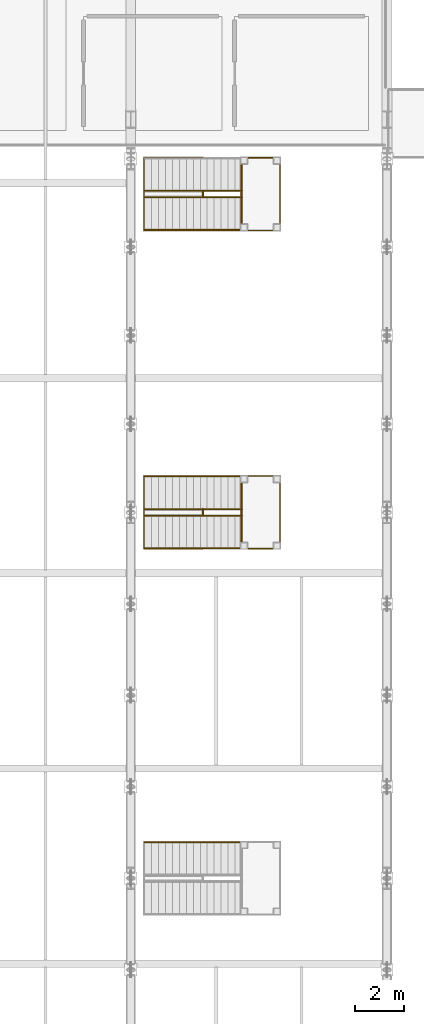
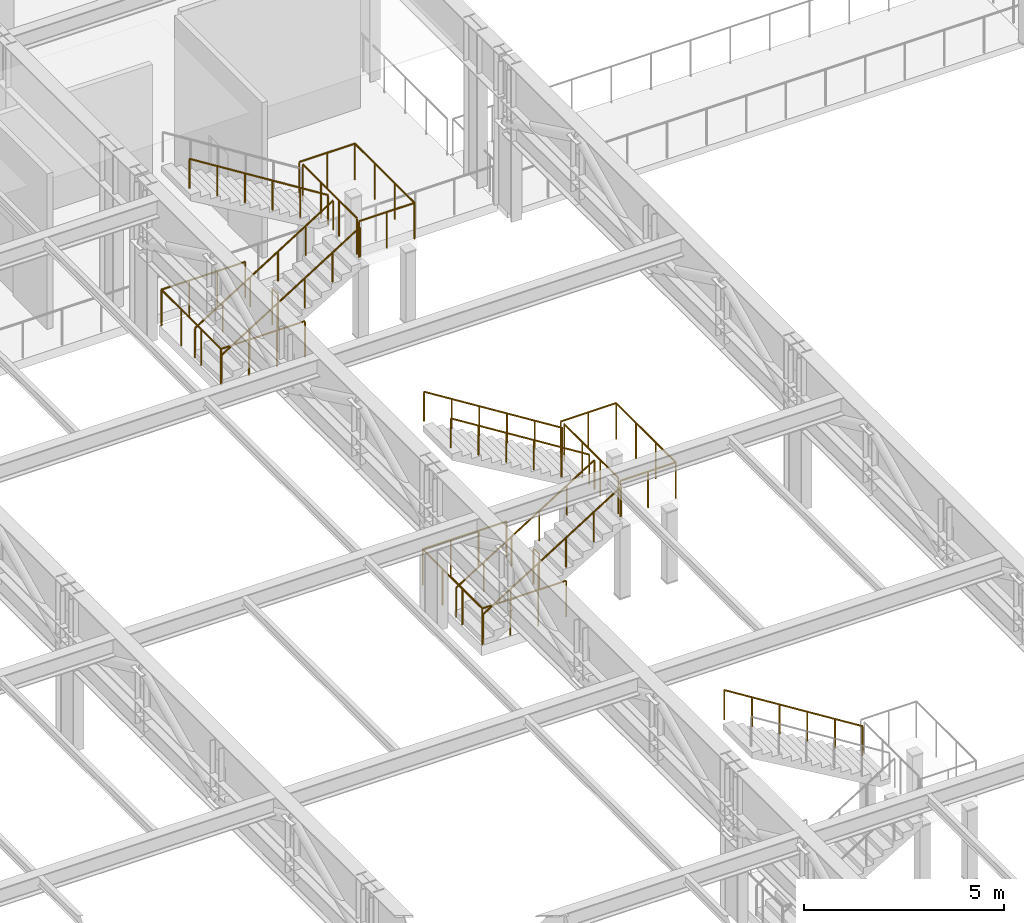
# One storey, part 129 of 143: 16 railings.
"""IFC4 building model written with IfcOpenShell, lengths in metres."""

from ifc_helpers import new_model, si_unit, direction, frame, origin, origin_2d, place, context, subcontext, project, spatial, circle, extrude, material, type_object, element, save


model = new_model("IFC4")

# Units and contexts
model_context = context("Model", 3, precision=1e-05, world=origin(), true_north=direction((0.0, 1.0)))
body_context = subcontext(model_context, "Body", "Model", "MODEL_VIEW")
ifc_project = project(units=[si_unit("LENGTHUNIT", "METRE"), si_unit("AREAUNIT", "SQUARE_METRE"), si_unit("VOLUMEUNIT", "CUBIC_METRE"), si_unit("PLANEANGLEUNIT", "RADIAN"), si_unit("MASSUNIT", "GRAM", prefix="KILO")], contexts=[model_context])

# Site, building, storey
site_placement = place(None, origin())
site = spatial("IfcSite", under=ifc_project, at=site_placement, CompositionType="ELEMENT")
building_placement = place(site_placement, origin())
building = spatial("IfcBuilding", under=site, at=building_placement, Name="Marlcrest Central Station", CompositionType="ELEMENT")
storey_placement = place(building_placement, frame((0.0, 0.0, 4.800048828125)))
storey = spatial("IfcBuildingStorey", under=building, at=storey_placement, Name="L01", CompositionType="ELEMENT", Elevation=4.800048828125)

# Railings
ifc_material_1 = material(Name="Stainless steel and laminated glass concourse balustrade", Category="steel")
railing_type_1 = type_object("IfcRailingType", Name="GR-02", PredefinedType="BALUSTRADE", material=ifc_material_1)
railing_1_placement = place(storey_placement, frame((121.4599609375, 79.510009765625, 0.0)))
element("IfcRailing", 1, at=railing_1_placement, inside=storey, type_object=railing_type_1, Name="hr-L01-00120", PredefinedType="BALUSTRADE", context=body_context, shape_type="SweptSolid", body=[
    extrude(circle(Radius=0.02392578125, at=origin_2d()), frame((0.0, 0.0, 1.09619140625), z_axis=(-1.0, 0.0, 0.0), x_axis=(0.0, -1.0, 0.0)), (0.0, 0.0, 1.0), 2.419921875),
    extrude(circle(Radius=0.02392578125, at=origin_2d()), frame((-2.419921875, 0.0, 1.09619140625), z_axis=(0.0, 1.0, 0.0), x_axis=(-1.0, 0.0, 0.0)), (0.0, 0.0, 1.0), 2.97998046875),
    extrude(circle(Radius=0.02392578125, at=origin_2d()), frame((-2.419921875, 2.97998046875, 1.09619140625), z_axis=(1.0, 0.0, 0.0), x_axis=(0.0, 1.0, 0.0)), (0.0, 0.0, 1.0), 2.419921875),
    extrude(circle(Radius=0.02099609375, at=origin_2d()), origin(), (0.0, 0.0, 1.0), 1.072021484375),
    extrude(circle(Radius=0.02099609375, at=origin_2d()), frame((-0.806640625, 0.0, 0.0)), (0.0, 0.0, 1.0), 1.072021484375),
    extrude(circle(Radius=0.02099609375, at=origin_2d()), frame((-1.61328125, 0.0, 0.0)), (0.0, 0.0, 1.0), 1.072021484375),
    extrude(circle(Radius=0.02099609375, at=origin_2d()), frame((-2.419921875, 0.0, 0.0)), (0.0, 0.0, 1.0), 1.072021484375),
    extrude(circle(Radius=0.02099609375, at=origin_2d()), frame((-2.419921875, 0.993408203125, 0.0)), (0.0, 0.0, 1.0), 1.072021484375),
    extrude(circle(Radius=0.02099609375, at=origin_2d()), frame((-2.419921875, 1.986572265625, 0.0)), (0.0, 0.0, 1.0), 1.072021484375),
    extrude(circle(Radius=0.02099609375, at=origin_2d()), frame((-2.419921875, 2.97998046875, 0.0)), (0.0, 0.0, 1.0), 1.072021484375),
    extrude(circle(Radius=0.02099609375, at=origin_2d()), frame((-1.61328125, 2.97998046875, 0.0)), (0.0, 0.0, 1.0), 1.072021484375),
    extrude(circle(Radius=0.02099609375, at=origin_2d()), frame((-0.806640625, 2.97998046875, 0.0)), (0.0, 0.0, 1.0), 1.072021484375),
    extrude(circle(Radius=0.02099609375, at=origin_2d()), frame((0.0, 2.97998046875, 0.0)), (0.0, 0.0, 1.0), 1.072021484375),
])
railing_2_placement = place(storey_placement, frame((121.4599609375, 80.860107421875, 0.0)))
element("IfcRailing", 2, at=railing_2_placement, inside=storey, type_object=railing_type_1, Name="hr-L01-00121", PredefinedType="BALUSTRADE", context=body_context, shape_type="SweptSolid", body=[
    extrude(circle(Radius=0.02392578125, at=origin_2d()), frame((0.0, 0.0, 1.09619140625), z_axis=(0.0, 1.0, 0.0), x_axis=(-1.0, 0.0, 0.0)), (0.0, 0.0, 1.0), 0.27978515625),
    extrude(circle(Radius=0.02099609375, at=origin_2d()), origin(), (0.0, 0.0, 1.0), 1.072021484375),
    extrude(circle(Radius=0.02099609375, at=origin_2d()), frame((0.0, 0.27978515625, 0.0)), (0.0, 0.0, 1.0), 1.072021484375),
])
railing_3_placement = place(storey_placement, frame((123.02001953125, 79.510009765625, 2.5)))
element("IfcRailing", 3, at=railing_3_placement, inside=storey, type_object=railing_type_1, Name="hr-L01-00135", PredefinedType="BALUSTRADE", context=body_context, shape_type="SweptSolid", body=[
    extrude(circle(Radius=0.02392578125, at=origin_2d()), frame((0.0, 0.0, 1.09619140625), z_axis=(1.0, 0.0, 0.0), x_axis=(0.0, 1.0, 0.0)), (0.0, 0.0, 1.0), 1.60009765625),
    extrude(circle(Radius=0.02392578125, at=origin_2d()), frame((1.60009765625, 0.0, 1.09619140625), z_axis=(0.0, 1.0, 0.0), x_axis=(-1.0, 0.0, 0.0)), (0.0, 0.0, 1.0), 2.97998046875),
    extrude(circle(Radius=0.02392578125, at=origin_2d()), frame((1.60009765625, 2.97998046875, 1.09619140625), z_axis=(-1.0, 0.0, 0.0), x_axis=(0.0, -1.0, 0.0)), (0.0, 0.0, 1.0), 1.60009765625),
    extrude(circle(Radius=0.02099609375, at=origin_2d()), origin(), (0.0, 0.0, 1.0), 1.072021484375),
    extrude(circle(Radius=0.02099609375, at=origin_2d()), frame((0.800048828125, 0.0, 0.0)), (0.0, 0.0, 1.0), 1.072021484375),
    extrude(circle(Radius=0.02099609375, at=origin_2d()), frame((1.60009765625, 0.0, 0.0)), (0.0, 0.0, 1.0), 1.072021484375),
    extrude(circle(Radius=0.02099609375, at=origin_2d()), frame((1.60009765625, 0.993408203125, 0.0)), (0.0, 0.0, 1.0), 1.072021484375),
    extrude(circle(Radius=0.02099609375, at=origin_2d()), frame((1.60009765625, 1.986572265625, 0.0)), (0.0, 0.0, 1.0), 1.072021484375),
    extrude(circle(Radius=0.02099609375, at=origin_2d()), frame((1.60009765625, 2.97998046875, 0.0)), (0.0, 0.0, 1.0), 1.072021484375),
    extrude(circle(Radius=0.02099609375, at=origin_2d()), frame((0.800048828125, 2.97998046875, 0.0)), (0.0, 0.0, 1.0), 1.072021484375),
    extrude(circle(Radius=0.02099609375, at=origin_2d()), frame((0.0, 2.97998046875, 0.0)), (0.0, 0.0, 1.0), 1.072021484375),
])
railing_4_placement = place(storey_placement, frame((121.4599609375, 92.56005859375, 0.0)))
element("IfcRailing", 4, at=railing_4_placement, inside=storey, type_object=railing_type_1, Name="hr-L01-00154", PredefinedType="BALUSTRADE", context=body_context, shape_type="SweptSolid", body=[
    extrude(circle(Radius=0.02392578125, at=origin_2d()), frame((0.0, 0.0, 1.09619140625), z_axis=(-1.0, 0.0, 0.0), x_axis=(0.0, -1.0, 0.0)), (0.0, 0.0, 1.0), 2.419921875),
    extrude(circle(Radius=0.02392578125, at=origin_2d()), frame((-2.419921875, 0.0, 1.09619140625), z_axis=(0.0, 1.0, 0.0), x_axis=(-1.0, 0.0, 0.0)), (0.0, 0.0, 1.0), 2.97998046875),
    extrude(circle(Radius=0.02392578125, at=origin_2d()), frame((-2.419921875, 2.97998046875, 1.09619140625), z_axis=(1.0, 0.0, 0.0), x_axis=(0.0, 1.0, 0.0)), (0.0, 0.0, 1.0), 2.419921875),
    extrude(circle(Radius=0.02099609375, at=origin_2d()), origin(), (0.0, 0.0, 1.0), 1.072021484375),
    extrude(circle(Radius=0.02099609375, at=origin_2d()), frame((-0.806640625, 0.0, 0.0)), (0.0, 0.0, 1.0), 1.072021484375),
    extrude(circle(Radius=0.02099609375, at=origin_2d()), frame((-1.61328125, 0.0, 0.0)), (0.0, 0.0, 1.0), 1.072021484375),
    extrude(circle(Radius=0.02099609375, at=origin_2d()), frame((-2.419921875, 0.0, 0.0)), (0.0, 0.0, 1.0), 1.072021484375),
    extrude(circle(Radius=0.02099609375, at=origin_2d()), frame((-2.419921875, 0.993408203125, 0.0)), (0.0, 0.0, 1.0), 1.072021484375),
    extrude(circle(Radius=0.02099609375, at=origin_2d()), frame((-2.419921875, 1.986572265625, 0.0)), (0.0, 0.0, 1.0), 1.072021484375),
    extrude(circle(Radius=0.02099609375, at=origin_2d()), frame((-2.419921875, 2.97998046875, 0.0)), (0.0, 0.0, 1.0), 1.072021484375),
    extrude(circle(Radius=0.02099609375, at=origin_2d()), frame((-1.61328125, 2.97998046875, 0.0)), (0.0, 0.0, 1.0), 1.072021484375),
    extrude(circle(Radius=0.02099609375, at=origin_2d()), frame((-0.806640625, 2.97998046875, 0.0)), (0.0, 0.0, 1.0), 1.072021484375),
    extrude(circle(Radius=0.02099609375, at=origin_2d()), frame((0.0, 2.97998046875, 0.0)), (0.0, 0.0, 1.0), 1.072021484375),
])
railing_5_placement = place(storey_placement, frame((121.4599609375, 93.909912109375, 0.0)))
element("IfcRailing", 5, at=railing_5_placement, inside=storey, type_object=railing_type_1, Name="hr-L01-00155", PredefinedType="BALUSTRADE", context=body_context, shape_type="SweptSolid", body=[
    extrude(circle(Radius=0.02392578125, at=origin_2d()), frame((0.0, 0.0, 1.09619140625), z_axis=(0.0, 1.0, 0.0), x_axis=(-1.0, 0.0, 0.0)), (0.0, 0.0, 1.0), 0.280029296875),
    extrude(circle(Radius=0.02099609375, at=origin_2d()), origin(), (0.0, 0.0, 1.0), 1.072021484375),
    extrude(circle(Radius=0.02099609375, at=origin_2d()), frame((0.0, 0.280029296875, 0.0)), (0.0, 0.0, 1.0), 1.072021484375),
])
railing_6_placement = place(storey_placement, frame((123.02001953125, 92.56005859375, 2.5)))
element("IfcRailing", 6, at=railing_6_placement, inside=storey, type_object=railing_type_1, Name="hr-L01-00169", PredefinedType="BALUSTRADE", context=body_context, shape_type="SweptSolid", body=[
    extrude(circle(Radius=0.02392578125, at=origin_2d()), frame((0.0, 0.0, 1.09619140625), z_axis=(1.0, 0.0, 0.0), x_axis=(0.0, 1.0, 0.0)), (0.0, 0.0, 1.0), 1.60009765625),
    extrude(circle(Radius=0.02392578125, at=origin_2d()), frame((1.60009765625, 0.0, 1.09619140625), z_axis=(0.0, 1.0, 0.0), x_axis=(-1.0, 0.0, 0.0)), (0.0, 0.0, 1.0), 2.97998046875),
    extrude(circle(Radius=0.02392578125, at=origin_2d()), frame((1.60009765625, 2.97998046875, 1.09619140625), z_axis=(-1.0, 0.0, 0.0), x_axis=(0.0, -1.0, 0.0)), (0.0, 0.0, 1.0), 1.60009765625),
    extrude(circle(Radius=0.02099609375, at=origin_2d()), origin(), (0.0, 0.0, 1.0), 1.072021484375),
    extrude(circle(Radius=0.02099609375, at=origin_2d()), frame((0.800048828125, 0.0, 0.0)), (0.0, 0.0, 1.0), 1.072021484375),
    extrude(circle(Radius=0.02099609375, at=origin_2d()), frame((1.60009765625, 0.0, 0.0)), (0.0, 0.0, 1.0), 1.072021484375),
    extrude(circle(Radius=0.02099609375, at=origin_2d()), frame((1.60009765625, 0.993408203125, 0.0)), (0.0, 0.0, 1.0), 1.072021484375),
    extrude(circle(Radius=0.02099609375, at=origin_2d()), frame((1.60009765625, 1.986572265625, 0.0)), (0.0, 0.0, 1.0), 1.072021484375),
    extrude(circle(Radius=0.02099609375, at=origin_2d()), frame((1.60009765625, 2.97998046875, 0.0)), (0.0, 0.0, 1.0), 1.072021484375),
    extrude(circle(Radius=0.02099609375, at=origin_2d()), frame((0.800048828125, 2.97998046875, 0.0)), (0.0, 0.0, 1.0), 1.072021484375),
    extrude(circle(Radius=0.02099609375, at=origin_2d()), frame((0.0, 2.97998046875, 0.0)), (0.0, 0.0, 1.0), 1.072021484375),
])
railing_7_placement = place(storey_placement, frame((123.0400390625, 79.64990234375, 2.5)))
element("IfcRailing", 7, at=railing_7_placement, inside=storey, type_object=railing_type_1, Name="hr-L01-00584", PredefinedType="BALUSTRADE", context=body_context, shape_type="SweptSolid", body=[
    extrude(circle(Radius=0.02392578125, at=origin_2d()), frame((0.0, 0.0, 1.09619140625), z_axis=(0.0, 1.0, 0.0), x_axis=(-1.0, 0.0, 0.0)), (0.0, 0.0, 1.0), 2.7001953125),
    extrude(circle(Radius=0.02099609375, at=origin_2d()), origin(), (0.0, 0.0, 1.0), 1.072021484375),
    extrude(circle(Radius=0.02099609375, at=origin_2d()), frame((0.0, 0.900146484375, 0.0)), (0.0, 0.0, 1.0), 1.072021484375),
    extrude(circle(Radius=0.02099609375, at=origin_2d()), frame((0.0, 1.800048828125, 0.0)), (0.0, 0.0, 1.0), 1.072021484375),
    extrude(circle(Radius=0.02099609375, at=origin_2d()), frame((0.0, 2.7001953125, 0.0)), (0.0, 0.0, 1.0), 1.072021484375),
])
railing_8_placement = place(storey_placement, frame((123.0400390625, 92.699951171875, 2.5)))
element("IfcRailing", 8, at=railing_8_placement, inside=storey, type_object=railing_type_1, Name="hr-L01-00588", PredefinedType="BALUSTRADE", context=body_context, shape_type="SweptSolid", body=[
    extrude(circle(Radius=0.02392578125, at=origin_2d()), frame((0.0, 0.0, 1.09619140625), z_axis=(0.0, 1.0, 0.0), x_axis=(-1.0, 0.0, 0.0)), (0.0, 0.0, 1.0), 2.699951171875),
    extrude(circle(Radius=0.02099609375, at=origin_2d()), origin(), (0.0, 0.0, 1.0), 1.072021484375),
    extrude(circle(Radius=0.02099609375, at=origin_2d()), frame((0.0, 0.89990234375, 0.0)), (0.0, 0.0, 1.0), 1.072021484375),
    extrude(circle(Radius=0.02099609375, at=origin_2d()), frame((0.0, 1.800048828125, 0.0)), (0.0, 0.0, 1.0), 1.072021484375),
    extrude(circle(Radius=0.02099609375, at=origin_2d()), frame((0.0, 2.699951171875, 0.0)), (0.0, 0.0, 1.0), 1.072021484375),
])
ifc_material_2 = material(Name="Brushed stainless steel handrail", Category="steel")
railing_type_2 = type_object("IfcRailingType", Name="HR-01", PredefinedType="HANDRAIL", material=ifc_material_2)
railing_9_placement = place(storey_placement, frame((123.06005859375, 67.47509765625, 2.5)))
element("IfcRailing", 9, at=railing_9_placement, inside=storey, type_object=railing_type_2, Name="hr-L01-00100", PredefinedType="HANDRAIL", context=body_context, shape_type="SweptSolid", body=[
    extrude(circle(Radius=0.02392578125, at=origin_2d()), frame((0.0, 0.0, 0.89599609375), z_axis=(-0.847400605549, 0.0, 0.530954059892), x_axis=(0.0, -1.0, 0.0)), (0.0, 0.0, 1.0), 4.70849609375),
    extrude(circle(Radius=0.02099609375, at=origin_2d()), origin(), (0.0, 0.0, 1.0), 0.871826171875),
    extrude(circle(Radius=0.02099609375, at=origin_2d()), frame((-0.798095703125, 0.0, 0.5)), (0.0, 0.0, 1.0), 0.871826171875),
    extrude(circle(Radius=0.02099609375, at=origin_2d()), frame((-1.595947265625, 0.0, 1.0)), (0.0, 0.0, 1.0), 0.871826171875),
    extrude(circle(Radius=0.02099609375, at=origin_2d()), frame((-2.39404296875, 0.0, 1.5)), (0.0, 0.0, 1.0), 0.871826171875),
    extrude(circle(Radius=0.02099609375, at=origin_2d()), frame((-3.19189453125, 0.0, 2.0)), (0.0, 0.0, 1.0), 0.871826171875),
    extrude(circle(Radius=0.02099609375, at=origin_2d()), frame((-3.989990234375, 0.0, 2.5)), (0.0, 0.0, 1.0), 0.871826171875),
])
railing_10_placement = place(storey_placement, frame((119.070068359375, 79.52490234375, 0.0)))
element("IfcRailing", 10, at=railing_10_placement, inside=storey, type_object=railing_type_2, Name="hr-L01-00131", PredefinedType="HANDRAIL", context=body_context, shape_type="SweptSolid", body=[
    extrude(circle(Radius=0.02392578125, at=origin_2d()), frame((0.0, 0.0, 0.89599609375), z_axis=(0.847400605549, 0.0, 0.530954059892), x_axis=(0.0, 1.0, 0.0)), (0.0, 0.0, 1.0), 4.70849609375),
    extrude(circle(Radius=0.02099609375, at=origin_2d()), origin(), (0.0, 0.0, 1.0), 0.871826171875),
    extrude(circle(Radius=0.02099609375, at=origin_2d()), frame((0.798095703125, 0.0, 0.5)), (0.0, 0.0, 1.0), 0.871826171875),
    extrude(circle(Radius=0.02099609375, at=origin_2d()), frame((1.595947265625, 0.0, 1.0)), (0.0, 0.0, 1.0), 0.871826171875),
    extrude(circle(Radius=0.02099609375, at=origin_2d()), frame((2.39404296875, 0.0, 1.5)), (0.0, 0.0, 1.0), 0.871826171875),
    extrude(circle(Radius=0.02099609375, at=origin_2d()), frame((3.19189453125, 0.0, 2.0)), (0.0, 0.0, 1.0), 0.871826171875),
    extrude(circle(Radius=0.02099609375, at=origin_2d()), frame((3.989990234375, 0.0, 2.5)), (0.0, 0.0, 1.0), 0.871826171875),
])
railing_11_placement = place(storey_placement, frame((123.06005859375, 81.135009765625, 2.5)))
element("IfcRailing", 11, at=railing_11_placement, inside=storey, type_object=railing_type_2, Name="hr-L01-00132", PredefinedType="HANDRAIL", context=body_context, shape_type="SweptSolid", body=[
    extrude(circle(Radius=0.02392578125, at=origin_2d()), frame((0.0, 0.0, 0.89599609375), z_axis=(-0.847400605549, 0.0, 0.530954059892), x_axis=(0.0, -1.0, 0.0)), (0.0, 0.0, 1.0), 4.70849609375),
    extrude(circle(Radius=0.02099609375, at=origin_2d()), origin(), (0.0, 0.0, 1.0), 0.871826171875),
    extrude(circle(Radius=0.02099609375, at=origin_2d()), frame((-0.798095703125, 0.0, 0.5)), (0.0, 0.0, 1.0), 0.871826171875),
    extrude(circle(Radius=0.02099609375, at=origin_2d()), frame((-1.595947265625, 0.0, 1.0)), (0.0, 0.0, 1.0), 0.871826171875),
    extrude(circle(Radius=0.02099609375, at=origin_2d()), frame((-2.39404296875, 0.0, 1.5)), (0.0, 0.0, 1.0), 0.871826171875),
    extrude(circle(Radius=0.02099609375, at=origin_2d()), frame((-3.19189453125, 0.0, 2.0)), (0.0, 0.0, 1.0), 0.871826171875),
    extrude(circle(Radius=0.02099609375, at=origin_2d()), frame((-3.989990234375, 0.0, 2.5)), (0.0, 0.0, 1.0), 0.871826171875),
])
railing_12_placement = place(storey_placement, frame((119.070068359375, 80.864990234375, 0.0)))
element("IfcRailing", 12, at=railing_12_placement, inside=storey, type_object=railing_type_2, Name="hr-L01-00133", PredefinedType="HANDRAIL", context=body_context, shape_type="SweptSolid", body=[
    extrude(circle(Radius=0.02392578125, at=origin_2d()), frame((0.0, 0.0, 0.89599609375), z_axis=(0.847400605549, 0.0, 0.530954059892), x_axis=(0.0, 1.0, 0.0)), (0.0, 0.0, 1.0), 4.70849609375),
    extrude(circle(Radius=0.02099609375, at=origin_2d()), origin(), (0.0, 0.0, 1.0), 0.871826171875),
    extrude(circle(Radius=0.02099609375, at=origin_2d()), frame((0.798095703125, 0.0, 0.5)), (0.0, 0.0, 1.0), 0.871826171875),
    extrude(circle(Radius=0.02099609375, at=origin_2d()), frame((1.595947265625, 0.0, 1.0)), (0.0, 0.0, 1.0), 0.871826171875),
    extrude(circle(Radius=0.02099609375, at=origin_2d()), frame((2.39404296875, 0.0, 1.5)), (0.0, 0.0, 1.0), 0.871826171875),
    extrude(circle(Radius=0.02099609375, at=origin_2d()), frame((3.19189453125, 0.0, 2.0)), (0.0, 0.0, 1.0), 0.871826171875),
    extrude(circle(Radius=0.02099609375, at=origin_2d()), frame((3.989990234375, 0.0, 2.5)), (0.0, 0.0, 1.0), 0.871826171875),
])
railing_13_placement = place(storey_placement, frame((123.06005859375, 82.47509765625, 2.5)))
element("IfcRailing", 13, at=railing_13_placement, inside=storey, type_object=railing_type_2, Name="hr-L01-00134", PredefinedType="HANDRAIL", context=body_context, shape_type="SweptSolid", body=[
    extrude(circle(Radius=0.02392578125, at=origin_2d()), frame((0.0, 0.0, 0.89599609375), z_axis=(-0.847400605549, 0.0, 0.530954059892), x_axis=(0.0, -1.0, 0.0)), (0.0, 0.0, 1.0), 4.70849609375),
    extrude(circle(Radius=0.02099609375, at=origin_2d()), origin(), (0.0, 0.0, 1.0), 0.871826171875),
    extrude(circle(Radius=0.02099609375, at=origin_2d()), frame((-0.798095703125, 0.0, 0.5)), (0.0, 0.0, 1.0), 0.871826171875),
    extrude(circle(Radius=0.02099609375, at=origin_2d()), frame((-1.595947265625, 0.0, 1.0)), (0.0, 0.0, 1.0), 0.871826171875),
    extrude(circle(Radius=0.02099609375, at=origin_2d()), frame((-2.39404296875, 0.0, 1.5)), (0.0, 0.0, 1.0), 0.871826171875),
    extrude(circle(Radius=0.02099609375, at=origin_2d()), frame((-3.19189453125, 0.0, 2.0)), (0.0, 0.0, 1.0), 0.871826171875),
    extrude(circle(Radius=0.02099609375, at=origin_2d()), frame((-3.989990234375, 0.0, 2.5)), (0.0, 0.0, 1.0), 0.871826171875),
])
railing_14_placement = place(storey_placement, frame((119.070068359375, 92.574951171875, 0.0)))
element("IfcRailing", 14, at=railing_14_placement, inside=storey, type_object=railing_type_2, Name="hr-L01-00165", PredefinedType="HANDRAIL", context=body_context, shape_type="SweptSolid", body=[
    extrude(circle(Radius=0.02392578125, at=origin_2d()), frame((0.0, 0.0, 0.89599609375), z_axis=(0.847400605549, 0.0, 0.530954059892), x_axis=(0.0, 1.0, 0.0)), (0.0, 0.0, 1.0), 4.70849609375),
    extrude(circle(Radius=0.02099609375, at=origin_2d()), origin(), (0.0, 0.0, 1.0), 0.871826171875),
    extrude(circle(Radius=0.02099609375, at=origin_2d()), frame((0.798095703125, 0.0, 0.5)), (0.0, 0.0, 1.0), 0.871826171875),
    extrude(circle(Radius=0.02099609375, at=origin_2d()), frame((1.595947265625, 0.0, 1.0)), (0.0, 0.0, 1.0), 0.871826171875),
    extrude(circle(Radius=0.02099609375, at=origin_2d()), frame((2.39404296875, 0.0, 1.5)), (0.0, 0.0, 1.0), 0.871826171875),
    extrude(circle(Radius=0.02099609375, at=origin_2d()), frame((3.19189453125, 0.0, 2.0)), (0.0, 0.0, 1.0), 0.871826171875),
    extrude(circle(Radius=0.02099609375, at=origin_2d()), frame((3.989990234375, 0.0, 2.5)), (0.0, 0.0, 1.0), 0.871826171875),
])
railing_15_placement = place(storey_placement, frame((123.06005859375, 94.18505859375, 2.5)))
element("IfcRailing", 15, at=railing_15_placement, inside=storey, type_object=railing_type_2, Name="hr-L01-00166", PredefinedType="HANDRAIL", context=body_context, shape_type="SweptSolid", body=[
    extrude(circle(Radius=0.02392578125, at=origin_2d()), frame((0.0, 0.0, 0.89599609375), z_axis=(-0.847400605549, 0.0, 0.530954059892), x_axis=(0.0, -1.0, 0.0)), (0.0, 0.0, 1.0), 4.70849609375),
    extrude(circle(Radius=0.02099609375, at=origin_2d()), origin(), (0.0, 0.0, 1.0), 0.871826171875),
    extrude(circle(Radius=0.02099609375, at=origin_2d()), frame((-0.798095703125, 0.0, 0.5)), (0.0, 0.0, 1.0), 0.871826171875),
    extrude(circle(Radius=0.02099609375, at=origin_2d()), frame((-1.595947265625, 0.0, 1.0)), (0.0, 0.0, 1.0), 0.871826171875),
    extrude(circle(Radius=0.02099609375, at=origin_2d()), frame((-2.39404296875, 0.0, 1.5)), (0.0, 0.0, 1.0), 0.871826171875),
    extrude(circle(Radius=0.02099609375, at=origin_2d()), frame((-3.19189453125, 0.0, 2.0)), (0.0, 0.0, 1.0), 0.871826171875),
    extrude(circle(Radius=0.02099609375, at=origin_2d()), frame((-3.989990234375, 0.0, 2.5)), (0.0, 0.0, 1.0), 0.871826171875),
])
railing_16_placement = place(storey_placement, frame((119.070068359375, 93.9150390625, 0.0)))
element("IfcRailing", 16, at=railing_16_placement, inside=storey, type_object=railing_type_2, Name="hr-L01-00167", PredefinedType="HANDRAIL", context=body_context, shape_type="SweptSolid", body=[
    extrude(circle(Radius=0.02392578125, at=origin_2d()), frame((0.0, 0.0, 0.89599609375), z_axis=(0.847400605549, 0.0, 0.530954059892), x_axis=(0.0, 1.0, 0.0)), (0.0, 0.0, 1.0), 4.70849609375),
    extrude(circle(Radius=0.02099609375, at=origin_2d()), origin(), (0.0, 0.0, 1.0), 0.871826171875),
    extrude(circle(Radius=0.02099609375, at=origin_2d()), frame((0.798095703125, 0.0, 0.5)), (0.0, 0.0, 1.0), 0.871826171875),
    extrude(circle(Radius=0.02099609375, at=origin_2d()), frame((1.595947265625, 0.0, 1.0)), (0.0, 0.0, 1.0), 0.871826171875),
    extrude(circle(Radius=0.02099609375, at=origin_2d()), frame((2.39404296875, 0.0, 1.5)), (0.0, 0.0, 1.0), 0.871826171875),
    extrude(circle(Radius=0.02099609375, at=origin_2d()), frame((3.19189453125, 0.0, 2.0)), (0.0, 0.0, 1.0), 0.871826171875),
    extrude(circle(Radius=0.02099609375, at=origin_2d()), frame((3.989990234375, 0.0, 2.5)), (0.0, 0.0, 1.0), 0.871826171875),
])

save(model, "model.ifc")
